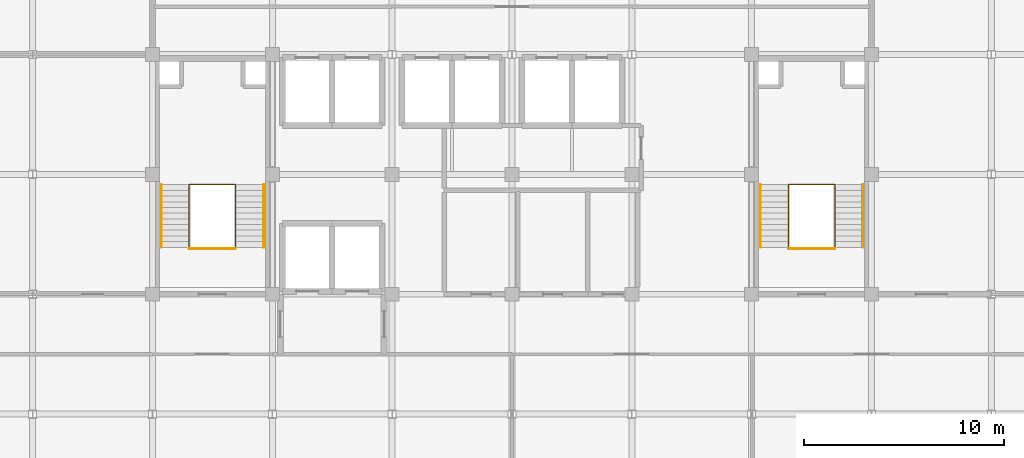
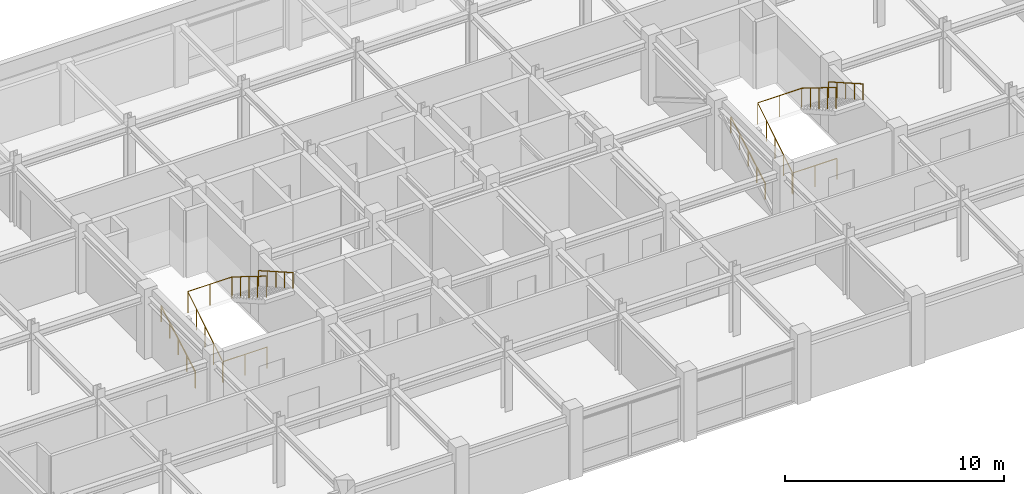
# One storey, part 12 of 12: 8 railings.
"""IFC4 building model written with IfcOpenShell, lengths in metres."""

from ifc_helpers import new_model, si_unit, direction, frame, origin, origin_2d, place, context, subcontext, project, spatial, circle, extrude, material, type_object, element, save


model = new_model("IFC4")

# Units and contexts
model_context = context("Model", 3, precision=1e-05, world=origin(), true_north=direction((0.0, 1.0)))
body_context = subcontext(model_context, "Body", "Model", "MODEL_VIEW")
ifc_project = project(units=[si_unit("LENGTHUNIT", "METRE"), si_unit("AREAUNIT", "SQUARE_METRE"), si_unit("VOLUMEUNIT", "CUBIC_METRE"), si_unit("PLANEANGLEUNIT", "RADIAN"), si_unit("MASSUNIT", "GRAM", prefix="KILO")], contexts=[model_context])

# Site, building, storey
site_placement = place(None, origin())
site = spatial("IfcSite", under=ifc_project, at=site_placement, CompositionType="ELEMENT")
building_placement = place(site_placement, origin())
building = spatial("IfcBuilding", under=site, at=building_placement, Name="Zlatovratsky Civic Hall", CompositionType="ELEMENT")
storey_placement = place(building_placement, frame((0.0, 0.0, 32.699951171875)))
storey = spatial("IfcBuildingStorey", under=building, at=storey_placement, Name="L08", CompositionType="ELEMENT", Elevation=32.699951171875)

# Railings
ifc_material = material(Name="Brushed stainless steel AISI 304", Category="steel")
railing_type_1 = type_object("IfcRailingType", Name="Railing_Guardrail_1200", PredefinedType="GUARDRAIL", material=ifc_material)
railing_1_placement = place(storey_placement, frame((67.840087890625, 86.35009765625, 0.0)))
element("IfcRailing", 1, at=railing_1_placement, inside=storey, type_object=railing_type_1, Name="RL-0532", PredefinedType="GUARDRAIL", context=body_context, shape_type="SweptSolid", body=[
    extrude(circle(Radius=0.02392578125, at=origin_2d()), frame((0.0, 0.0, 1.17578125), z_axis=(0.0, 0.849144259976, 0.528160984692), x_axis=(-1.0, 0.0, 0.0)), (0.0, 0.0, 1.0), 3.69189453125),
    extrude(circle(Radius=0.02392578125, at=origin_2d()), frame((0.0, 3.135009765625, 3.1259765625), z_axis=(1.0, 0.0, 0.0), x_axis=(0.0, 1.0, 0.0)), (0.0, 0.0, 1.0), 2.31982421875),
    extrude(circle(Radius=0.02392578125, at=origin_2d()), frame((2.31982421875, 3.135009765625, 3.1259765625), z_axis=(0.0, -0.849114602454, 0.528208663219), x_axis=(1.0, 0.0, 0.0)), (0.0, 0.0, 1.0), 3.692138671875),
    extrude(circle(Radius=0.02099609375, at=origin_2d()), origin(), (0.0, 0.0, 1.0), 1.15185546875),
    extrude(circle(Radius=0.02099609375, at=origin_2d()), frame((0.0, 0.78369140625, 0.487548828125)), (0.0, 0.0, 1.0), 1.15185546875),
    extrude(circle(Radius=0.02099609375, at=origin_2d()), frame((0.0, 1.5673828125, 0.97509765625)), (0.0, 0.0, 1.0), 1.15185546875),
    extrude(circle(Radius=0.02099609375, at=origin_2d()), frame((0.0, 2.351318359375, 1.46240234375)), (0.0, 0.0, 1.0), 1.15185546875),
    extrude(circle(Radius=0.02099609375, at=origin_2d()), frame((0.0, 3.135009765625, 1.949951171875)), (0.0, 0.0, 1.0), 1.15185546875),
    extrude(circle(Radius=0.02099609375, at=origin_2d()), frame((1.159912109375, 3.135009765625, 1.949951171875)), (0.0, 0.0, 1.0), 1.15185546875),
    extrude(circle(Radius=0.02099609375, at=origin_2d()), frame((2.31982421875, 3.135009765625, 1.949951171875)), (0.0, 0.0, 1.0), 1.15185546875),
    extrude(circle(Radius=0.02099609375, at=origin_2d()), frame((2.31982421875, 2.351318359375, 2.4375)), (0.0, 0.0, 1.0), 1.15185546875),
    extrude(circle(Radius=0.02099609375, at=origin_2d()), frame((2.31982421875, 1.5673828125, 2.925048828125)), (0.0, 0.0, 1.0), 1.15185546875),
    extrude(circle(Radius=0.02099609375, at=origin_2d()), frame((2.31982421875, 0.78369140625, 3.41259765625)), (0.0, 0.0, 1.0), 1.15185546875),
    extrude(circle(Radius=0.02099609375, at=origin_2d()), frame((2.31982421875, 0.0, 3.900146484375)), (0.0, 0.0, 1.0), 1.15185546875),
])
railing_2_placement = place(storey_placement, frame((67.840087890625, 86.27001953125, 0.0)))
element("IfcRailing", 2, at=railing_2_placement, inside=storey, type_object=railing_type_1, Name="RL-0535", PredefinedType="GUARDRAIL", context=body_context, shape_type="SweptSolid", body=[
    extrude(circle(Radius=0.02392578125, at=origin_2d()), frame((0.0, 0.0, 1.17578125), z_axis=(1.0, 0.0, 0.0), x_axis=(0.0, 1.0, 0.0)), (0.0, 0.0, 1.0), 2.31982421875),
    extrude(circle(Radius=0.02099609375, at=origin_2d()), origin(), (0.0, 0.0, 1.0), 1.15185546875),
    extrude(circle(Radius=0.02099609375, at=origin_2d()), frame((1.159912109375, 0.0, 0.0)), (0.0, 0.0, 1.0), 1.15185546875),
    extrude(circle(Radius=0.02099609375, at=origin_2d()), frame((2.31982421875, 0.0, 0.0)), (0.0, 0.0, 1.0), 1.15185546875),
])
railing_3_placement = place(storey_placement, frame((97.840087890625, 86.35009765625, 0.0)))
element("IfcRailing", 3, at=railing_3_placement, inside=storey, type_object=railing_type_1, Name="RL-0608", PredefinedType="GUARDRAIL", context=body_context, shape_type="SweptSolid", body=[
    extrude(circle(Radius=0.02392578125, at=origin_2d()), frame((0.0, 0.0, 1.17578125), z_axis=(0.0, 0.849144259976, 0.528160984692), x_axis=(-1.0, 0.0, 0.0)), (0.0, 0.0, 1.0), 3.69189453125),
    extrude(circle(Radius=0.02392578125, at=origin_2d()), frame((0.0, 3.135009765625, 3.1259765625), z_axis=(1.0, 0.0, 0.0), x_axis=(0.0, 1.0, 0.0)), (0.0, 0.0, 1.0), 2.31982421875),
    extrude(circle(Radius=0.02392578125, at=origin_2d()), frame((2.31982421875, 3.135009765625, 3.1259765625), z_axis=(0.0, -0.849114602454, 0.528208663219), x_axis=(1.0, 0.0, 0.0)), (0.0, 0.0, 1.0), 3.692138671875),
    extrude(circle(Radius=0.02099609375, at=origin_2d()), origin(), (0.0, 0.0, 1.0), 1.15185546875),
    extrude(circle(Radius=0.02099609375, at=origin_2d()), frame((0.0, 0.78369140625, 0.487548828125)), (0.0, 0.0, 1.0), 1.15185546875),
    extrude(circle(Radius=0.02099609375, at=origin_2d()), frame((0.0, 1.5673828125, 0.97509765625)), (0.0, 0.0, 1.0), 1.15185546875),
    extrude(circle(Radius=0.02099609375, at=origin_2d()), frame((0.0, 2.351318359375, 1.46240234375)), (0.0, 0.0, 1.0), 1.15185546875),
    extrude(circle(Radius=0.02099609375, at=origin_2d()), frame((0.0, 3.135009765625, 1.949951171875)), (0.0, 0.0, 1.0), 1.15185546875),
    extrude(circle(Radius=0.02099609375, at=origin_2d()), frame((1.159912109375, 3.135009765625, 1.949951171875)), (0.0, 0.0, 1.0), 1.15185546875),
    extrude(circle(Radius=0.02099609375, at=origin_2d()), frame((2.31982421875, 3.135009765625, 1.949951171875)), (0.0, 0.0, 1.0), 1.15185546875),
    extrude(circle(Radius=0.02099609375, at=origin_2d()), frame((2.31982421875, 2.351318359375, 2.4375)), (0.0, 0.0, 1.0), 1.15185546875),
    extrude(circle(Radius=0.02099609375, at=origin_2d()), frame((2.31982421875, 1.5673828125, 2.925048828125)), (0.0, 0.0, 1.0), 1.15185546875),
    extrude(circle(Radius=0.02099609375, at=origin_2d()), frame((2.31982421875, 0.78369140625, 3.41259765625)), (0.0, 0.0, 1.0), 1.15185546875),
    extrude(circle(Radius=0.02099609375, at=origin_2d()), frame((2.31982421875, 0.0, 3.900146484375)), (0.0, 0.0, 1.0), 1.15185546875),
])
railing_4_placement = place(storey_placement, frame((97.840087890625, 86.27001953125, 0.0)))
element("IfcRailing", 4, at=railing_4_placement, inside=storey, type_object=railing_type_1, Name="RL-0611", PredefinedType="GUARDRAIL", context=body_context, shape_type="SweptSolid", body=[
    extrude(circle(Radius=0.02392578125, at=origin_2d()), frame((0.0, 0.0, 1.17578125), z_axis=(1.0, 0.0, 0.0), x_axis=(0.0, 1.0, 0.0)), (0.0, 0.0, 1.0), 2.31982421875),
    extrude(circle(Radius=0.02099609375, at=origin_2d()), origin(), (0.0, 0.0, 1.0), 1.15185546875),
    extrude(circle(Radius=0.02099609375, at=origin_2d()), frame((1.159912109375, 0.0, 0.0)), (0.0, 0.0, 1.0), 1.15185546875),
    extrude(circle(Radius=0.02099609375, at=origin_2d()), frame((2.31982421875, 0.0, 0.0)), (0.0, 0.0, 1.0), 1.15185546875),
])
railing_type_2 = type_object("IfcRailingType", Name="Railing_Handrail_900", PredefinedType="HANDRAIL", material=ifc_material)
railing_5_placement = place(storey_placement, frame((66.429931640625, 86.35009765625, 0.1630859375)))
element("IfcRailing", 5, at=railing_5_placement, inside=storey, type_object=railing_type_2, Name="RL-0533", PredefinedType="HANDRAIL", context=body_context, shape_type="SweptSolid", body=[
    extrude(circle(Radius=0.02392578125, at=origin_2d()), frame((0.0, 0.0, 0.8759765625), z_axis=(0.0, 0.868788039808, 0.495184149471), x_axis=(-1.0, 0.0, 0.0)), (0.0, 0.0, 1.0), 3.6083984375),
    extrude(circle(Radius=0.02099609375, at=origin_2d()), origin(), (0.0, 0.0, 1.0), 0.851806640625),
    extrude(circle(Radius=0.02099609375, at=origin_2d()), frame((0.0, 0.78369140625, 0.44677734375)), (0.0, 0.0, 1.0), 0.851806640625),
    extrude(circle(Radius=0.02099609375, at=origin_2d()), frame((0.0, 1.5673828125, 0.8935546875)), (0.0, 0.0, 1.0), 0.851806640625),
    extrude(circle(Radius=0.02099609375, at=origin_2d()), frame((0.0, 2.351318359375, 1.340087890625)), (0.0, 0.0, 1.0), 0.851806640625),
    extrude(circle(Radius=0.02099609375, at=origin_2d()), frame((0.0, 3.135009765625, 1.786865234375)), (0.0, 0.0, 1.0), 0.851806640625),
])
railing_6_placement = place(storey_placement, frame((71.570068359375, 89.485107421875, 2.112060546875)))
element("IfcRailing", 6, at=railing_6_placement, inside=storey, type_object=railing_type_2, Name="RL-0534", PredefinedType="HANDRAIL", context=body_context, shape_type="SweptSolid", body=[
    extrude(circle(Radius=0.02392578125, at=origin_2d()), frame((0.0, 0.0, 0.8759765625), z_axis=(0.0, -0.868642492313, 0.495439421673), x_axis=(1.0, 0.0, 0.0)), (0.0, 0.0, 1.0), 3.609130859375),
    extrude(circle(Radius=0.02099609375, at=origin_2d()), origin(), (0.0, 0.0, 1.0), 0.851806640625),
    extrude(circle(Radius=0.02099609375, at=origin_2d()), frame((0.0, -0.78369140625, 0.447021484375)), (0.0, 0.0, 1.0), 0.851806640625),
    extrude(circle(Radius=0.02099609375, at=origin_2d()), frame((0.0, -1.5673828125, 0.89404296875)), (0.0, 0.0, 1.0), 0.851806640625),
    extrude(circle(Radius=0.02099609375, at=origin_2d()), frame((0.0, -2.351318359375, 1.341064453125)), (0.0, 0.0, 1.0), 0.851806640625),
    extrude(circle(Radius=0.02099609375, at=origin_2d()), frame((0.0, -3.135009765625, 1.7880859375)), (0.0, 0.0, 1.0), 0.851806640625),
])
railing_7_placement = place(storey_placement, frame((96.429931640625, 86.35009765625, 0.1630859375)))
element("IfcRailing", 7, at=railing_7_placement, inside=storey, type_object=railing_type_2, Name="RL-0609", PredefinedType="HANDRAIL", context=body_context, shape_type="SweptSolid", body=[
    extrude(circle(Radius=0.02392578125, at=origin_2d()), frame((0.0, 0.0, 0.8759765625), z_axis=(0.0, 0.868788039808, 0.495184149471), x_axis=(-1.0, 0.0, 0.0)), (0.0, 0.0, 1.0), 3.6083984375),
    extrude(circle(Radius=0.02099609375, at=origin_2d()), origin(), (0.0, 0.0, 1.0), 0.851806640625),
    extrude(circle(Radius=0.02099609375, at=origin_2d()), frame((0.0, 0.78369140625, 0.44677734375)), (0.0, 0.0, 1.0), 0.851806640625),
    extrude(circle(Radius=0.02099609375, at=origin_2d()), frame((0.0, 1.5673828125, 0.8935546875)), (0.0, 0.0, 1.0), 0.851806640625),
    extrude(circle(Radius=0.02099609375, at=origin_2d()), frame((0.0, 2.351318359375, 1.340087890625)), (0.0, 0.0, 1.0), 0.851806640625),
    extrude(circle(Radius=0.02099609375, at=origin_2d()), frame((0.0, 3.135009765625, 1.786865234375)), (0.0, 0.0, 1.0), 0.851806640625),
])
railing_8_placement = place(storey_placement, frame((101.570068359375, 89.485107421875, 2.112060546875)))
element("IfcRailing", 8, at=railing_8_placement, inside=storey, type_object=railing_type_2, Name="RL-0610", PredefinedType="HANDRAIL", context=body_context, shape_type="SweptSolid", body=[
    extrude(circle(Radius=0.02392578125, at=origin_2d()), frame((0.0, 0.0, 0.8759765625), z_axis=(0.0, -0.868642492313, 0.495439421673), x_axis=(1.0, 0.0, 0.0)), (0.0, 0.0, 1.0), 3.609130859375),
    extrude(circle(Radius=0.02099609375, at=origin_2d()), origin(), (0.0, 0.0, 1.0), 0.851806640625),
    extrude(circle(Radius=0.02099609375, at=origin_2d()), frame((0.0, -0.78369140625, 0.447021484375)), (0.0, 0.0, 1.0), 0.851806640625),
    extrude(circle(Radius=0.02099609375, at=origin_2d()), frame((0.0, -1.5673828125, 0.89404296875)), (0.0, 0.0, 1.0), 0.851806640625),
    extrude(circle(Radius=0.02099609375, at=origin_2d()), frame((0.0, -2.351318359375, 1.341064453125)), (0.0, 0.0, 1.0), 0.851806640625),
    extrude(circle(Radius=0.02099609375, at=origin_2d()), frame((0.0, -3.135009765625, 1.7880859375)), (0.0, 0.0, 1.0), 0.851806640625),
])

save(model, "model.ifc")
